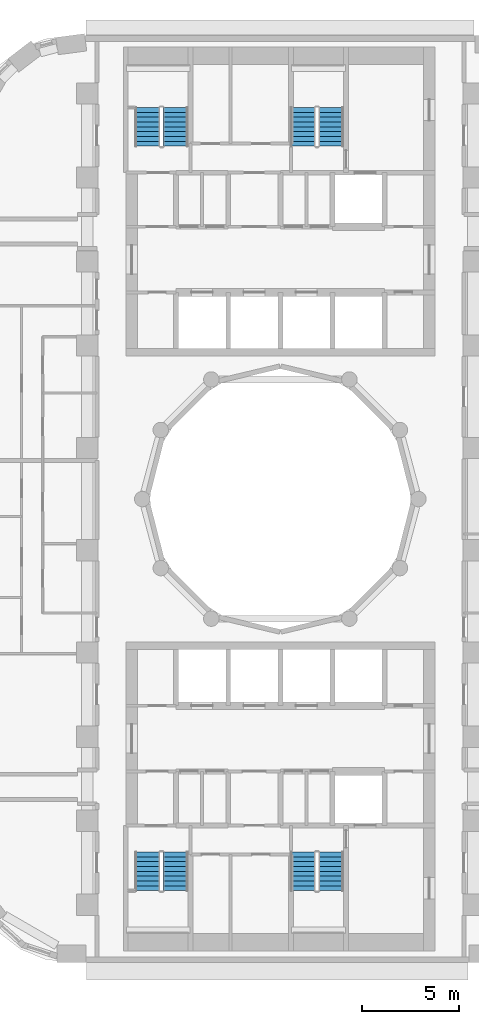
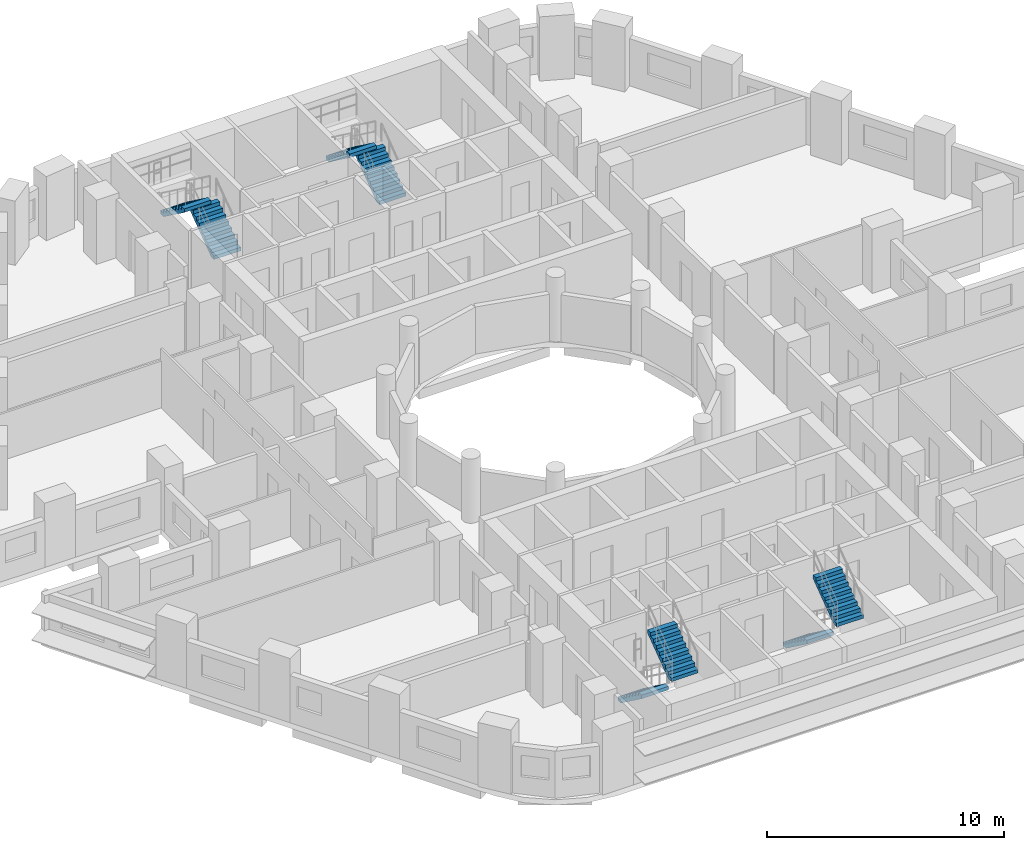
# One storey, part 9 of 12: 8 stair flights, 4 elements without a shape of their own.
"""IFC4 building model written with IfcOpenShell, lengths in metres."""

from ifc_helpers import new_model, si_unit, direction, frame, origin, place, context, subcontext, project, spatial, polyline, outline, extrude, material, type_object, element, aggregate, save


model = new_model("IFC4")

# Units and contexts
model_context = context("Model", 3, precision=1e-05, world=origin(), true_north=direction((0.0, 1.0)))
body_context = subcontext(model_context, "Body", "Model", "MODEL_VIEW")
ifc_project = project(units=[si_unit("LENGTHUNIT", "METRE"), si_unit("AREAUNIT", "SQUARE_METRE"), si_unit("VOLUMEUNIT", "CUBIC_METRE"), si_unit("PLANEANGLEUNIT", "RADIAN"), si_unit("MASSUNIT", "GRAM", prefix="KILO")], contexts=[model_context])

# Site, building, storey
site_placement = place(None, origin())
site = spatial("IfcSite", under=ifc_project, at=site_placement, CompositionType="ELEMENT")
building_placement = place(site_placement, origin())
building = spatial("IfcBuilding", under=site, at=building_placement, Name="Nakaniwa Court", CompositionType="ELEMENT")
storey_placement = place(building_placement, frame((0.0, 0.0, 54.60009765625)))
storey = spatial("IfcBuildingStorey", under=building, at=storey_placement, Name="L14", CompositionType="ELEMENT", Elevation=54.60009765625)

# Stair, stair flights
ifc_material = material(Name="Concrete C80/100", Category="concrete")
stair_type = type_object("IfcStairType", Name="Dog leg stair 1300 wide 18 risers", PredefinedType="HALF_TURN_STAIR", material=ifc_material)
stair_1_placement = place(storey_placement, origin())
stair_1 = element("IfcStair", 1, at=stair_1_placement, inside=storey, type_object=stair_type, Name="L14 Stair ST1", PredefinedType="HALF_TURN_STAIR")
stair_flight_type = type_object("IfcStairFlightType", Name="Stair flight 1300 wide 9 risers", PredefinedType="STRAIGHT", material=ifc_material)
stair_flight_1_placement = place(storey_placement, frame((74.574951171875, 98.27490234375, 0.0), z_axis=(0.0, 0.0, 1.0), x_axis=(0.0, 1.0, 0.0)))
stair_flight_1 = element("IfcStairFlight", 2, at=stair_flight_1_placement, type_object=stair_flight_type, Name="ST1 flight 1", NumberOfRisers=9, NumberOfTreads=8, PredefinedType="STRAIGHT", RiserHeight=0.183333333, TreadLength=0.25, context=body_context, shape_type="SweptSolid", body=[
    extrude(outline(polyline([(0.0, 0.0), (0.0, 0.026123046875), (0.0, 0.052490234375), (0.0, 0.07861328125), (0.0, 0.104736328125), (0.0, 0.130859375), (0.0, 0.1572265625), (0.0, 0.183349609375), (0.25, 0.183349609375), (0.25, 0.36669921875), (0.5, 0.36669921875), (0.5, 0.550048828125), (0.75, 0.550048828125), (0.75, 0.7333984375), (1.0, 0.7333984375), (1.0, 0.916748046875), (1.25, 0.916748046875), (1.25, 1.10009765625), (1.5, 1.10009765625), (1.5, 1.283447265625), (1.75, 1.283447265625), (1.75, 1.466552734375), (2.0, 1.466552734375), (2.0, 1.64990234375), (2.0, 1.59716796875), (2.0, 1.54443359375), (2.0, 1.49169921875), (2.0, 1.43896484375), (2.0, 1.38623046875), (2.0, 1.33349609375), (2.0, 1.28076171875), (0.25341796875, 0.0), (0.0, 0.0)])), frame((0.0, 0.64990234375, 0.0), z_axis=(0.0, -1.0, 0.0), x_axis=(1.0, 0.0, 0.0)), (0.0, 0.0, 1.0), 1.300048828125),
])
stair_flight_2_placement = place(storey_placement, frame((73.125, 100.27490234375, 1.64990234375), z_axis=(0.0, 0.0, 1.0), x_axis=(0.0, -1.0, 0.0)))
stair_flight_2 = element("IfcStairFlight", 3, at=stair_flight_2_placement, type_object=stair_flight_type, Name="ST1 flight 2", NumberOfRisers=9, NumberOfTreads=8, PredefinedType="STRAIGHT", RiserHeight=0.183333333, TreadLength=0.25, context=body_context, shape_type="SweptSolid", body=[
    extrude(outline(polyline([(0.0, 0.0), (0.0, 0.026123046875), (0.0, 0.052490234375), (0.0, 0.07861328125), (0.0, 0.104736328125), (0.0, 0.130859375), (0.0, 0.1572265625), (0.0, 0.183349609375), (0.25, 0.183349609375), (0.25, 0.36669921875), (0.5, 0.36669921875), (0.5, 0.550048828125), (0.75, 0.550048828125), (0.75, 0.7333984375), (1.0, 0.7333984375), (1.0, 0.916748046875), (1.25, 0.916748046875), (1.25, 1.10009765625), (1.5, 1.10009765625), (1.5, 1.283447265625), (1.75, 1.283447265625), (1.75, 1.466552734375), (2.0, 1.466552734375), (2.0, 1.64990234375), (2.0, 1.59716796875), (2.0, 1.54443359375), (2.0, 1.49169921875), (2.0, 1.43896484375), (2.0, 1.38623046875), (2.0, 1.33349609375), (2.0, 1.28076171875), (0.25341796875, 0.0), (0.0, 0.0)])), frame((0.0, 0.64990234375, 0.0), z_axis=(0.0, -1.0, 0.0), x_axis=(1.0, 0.0, 0.0)), (0.0, 0.0, 1.0), 1.300048828125),
])
aggregate(stair_1, [stair_flight_1, stair_flight_2])

stair_2_placement = place(storey_placement, origin())
stair_2 = element("IfcStair", 4, at=stair_2_placement, inside=storey, type_object=stair_type, Name="L14 Stair ST2", PredefinedType="HALF_TURN_STAIR")
stair_flight_3_placement = place(storey_placement, frame((82.625, 98.27490234375, 0.0), z_axis=(0.0, 0.0, 1.0), x_axis=(0.0, 1.0, 0.0)))
stair_flight_3 = element("IfcStairFlight", 5, at=stair_flight_3_placement, type_object=stair_flight_type, Name="ST2 flight 1", NumberOfRisers=9, NumberOfTreads=8, PredefinedType="STRAIGHT", RiserHeight=0.183333333, TreadLength=0.25, context=body_context, shape_type="SweptSolid", body=[
    extrude(outline(polyline([(0.0, 0.0), (0.0, 0.026123046875), (0.0, 0.052490234375), (0.0, 0.07861328125), (0.0, 0.104736328125), (0.0, 0.130859375), (0.0, 0.1572265625), (0.0, 0.183349609375), (0.25, 0.183349609375), (0.25, 0.36669921875), (0.5, 0.36669921875), (0.5, 0.550048828125), (0.75, 0.550048828125), (0.75, 0.7333984375), (1.0, 0.7333984375), (1.0, 0.916748046875), (1.25, 0.916748046875), (1.25, 1.10009765625), (1.5, 1.10009765625), (1.5, 1.283447265625), (1.75, 1.283447265625), (1.75, 1.466552734375), (2.0, 1.466552734375), (2.0, 1.64990234375), (2.0, 1.59716796875), (2.0, 1.54443359375), (2.0, 1.49169921875), (2.0, 1.43896484375), (2.0, 1.38623046875), (2.0, 1.33349609375), (2.0, 1.28076171875), (0.25341796875, 0.0), (0.0, 0.0)])), frame((0.0, 0.64990234375, 0.0), z_axis=(0.0, -1.0, 0.0), x_axis=(1.0, 0.0, 0.0)), (0.0, 0.0, 1.0), 1.300048828125),
])
stair_flight_4_placement = place(storey_placement, frame((81.175048828125, 100.27490234375, 1.64990234375), z_axis=(0.0, 0.0, 1.0), x_axis=(0.0, -1.0, 0.0)))
stair_flight_4 = element("IfcStairFlight", 6, at=stair_flight_4_placement, type_object=stair_flight_type, Name="ST2 flight 2", NumberOfRisers=9, NumberOfTreads=8, PredefinedType="STRAIGHT", RiserHeight=0.183333333, TreadLength=0.25, context=body_context, shape_type="SweptSolid", body=[
    extrude(outline(polyline([(0.0, 0.0), (0.0, 0.026123046875), (0.0, 0.052490234375), (0.0, 0.07861328125), (0.0, 0.104736328125), (0.0, 0.130859375), (0.0, 0.1572265625), (0.0, 0.183349609375), (0.25, 0.183349609375), (0.25, 0.36669921875), (0.5, 0.36669921875), (0.5, 0.550048828125), (0.75, 0.550048828125), (0.75, 0.7333984375), (1.0, 0.7333984375), (1.0, 0.916748046875), (1.25, 0.916748046875), (1.25, 1.10009765625), (1.5, 1.10009765625), (1.5, 1.283447265625), (1.75, 1.283447265625), (1.75, 1.466552734375), (2.0, 1.466552734375), (2.0, 1.64990234375), (2.0, 1.59716796875), (2.0, 1.54443359375), (2.0, 1.49169921875), (2.0, 1.43896484375), (2.0, 1.38623046875), (2.0, 1.33349609375), (2.0, 1.28076171875), (0.25341796875, 0.0), (0.0, 0.0)])), frame((0.0, 0.64990234375, 0.0), z_axis=(0.0, -1.0, 0.0), x_axis=(1.0, 0.0, 0.0)), (0.0, 0.0, 1.0), 1.300048828125),
])
aggregate(stair_2, [stair_flight_3, stair_flight_4])

stair_3_placement = place(storey_placement, origin())
stair_3 = element("IfcStair", 7, at=stair_3_placement, inside=storey, type_object=stair_type, Name="L14 Stair ST3", PredefinedType="HALF_TURN_STAIR")
stair_flight_5_placement = place(storey_placement, frame((73.125, 61.72509765625, 0.0), z_axis=(0.0, 0.0, 1.0), x_axis=(0.0, -1.0, 0.0)))
stair_flight_5 = element("IfcStairFlight", 8, at=stair_flight_5_placement, type_object=stair_flight_type, Name="ST3 flight 1", NumberOfRisers=9, NumberOfTreads=8, PredefinedType="STRAIGHT", RiserHeight=0.183333333, TreadLength=0.25, context=body_context, shape_type="SweptSolid", body=[
    extrude(outline(polyline([(0.0, 0.0), (0.0, 0.026123046875), (0.0, 0.052490234375), (0.0, 0.07861328125), (0.0, 0.104736328125), (0.0, 0.130859375), (0.0, 0.1572265625), (0.0, 0.183349609375), (0.25, 0.183349609375), (0.25, 0.36669921875), (0.5, 0.36669921875), (0.5, 0.550048828125), (0.75, 0.550048828125), (0.75, 0.7333984375), (1.0, 0.7333984375), (1.0, 0.916748046875), (1.25, 0.916748046875), (1.25, 1.10009765625), (1.5, 1.10009765625), (1.5, 1.283447265625), (1.75, 1.283447265625), (1.75, 1.466552734375), (2.0, 1.466552734375), (2.0, 1.64990234375), (2.0, 1.59716796875), (2.0, 1.54443359375), (2.0, 1.49169921875), (2.0, 1.43896484375), (2.0, 1.38623046875), (2.0, 1.33349609375), (2.0, 1.28076171875), (0.25341796875, 0.0), (0.0, 0.0)])), frame((0.0, 0.64990234375, 0.0), z_axis=(0.0, -1.0, 0.0), x_axis=(1.0, 0.0, 0.0)), (0.0, 0.0, 1.0), 1.300048828125),
])
stair_flight_6_placement = place(storey_placement, frame((74.574951171875, 59.72509765625, 1.64990234375), z_axis=(0.0, 0.0, 1.0), x_axis=(0.0, 1.0, 0.0)))
stair_flight_6 = element("IfcStairFlight", 9, at=stair_flight_6_placement, type_object=stair_flight_type, Name="ST3 flight 2", NumberOfRisers=9, NumberOfTreads=8, PredefinedType="STRAIGHT", RiserHeight=0.183333333, TreadLength=0.25, context=body_context, shape_type="SweptSolid", body=[
    extrude(outline(polyline([(0.0, 0.0), (0.0, 0.026123046875), (0.0, 0.052490234375), (0.0, 0.07861328125), (0.0, 0.104736328125), (0.0, 0.130859375), (0.0, 0.1572265625), (0.0, 0.183349609375), (0.25, 0.183349609375), (0.25, 0.36669921875), (0.5, 0.36669921875), (0.5, 0.550048828125), (0.75, 0.550048828125), (0.75, 0.7333984375), (1.0, 0.7333984375), (1.0, 0.916748046875), (1.25, 0.916748046875), (1.25, 1.10009765625), (1.5, 1.10009765625), (1.5, 1.283447265625), (1.75, 1.283447265625), (1.75, 1.466552734375), (2.0, 1.466552734375), (2.0, 1.64990234375), (2.0, 1.59716796875), (2.0, 1.54443359375), (2.0, 1.49169921875), (2.0, 1.43896484375), (2.0, 1.38623046875), (2.0, 1.33349609375), (2.0, 1.28076171875), (0.25341796875, 0.0), (0.0, 0.0)])), frame((0.0, 0.64990234375, 0.0), z_axis=(0.0, -1.0, 0.0), x_axis=(1.0, 0.0, 0.0)), (0.0, 0.0, 1.0), 1.300048828125),
])
aggregate(stair_3, [stair_flight_5, stair_flight_6])

stair_4_placement = place(storey_placement, origin())
stair_4 = element("IfcStair", 10, at=stair_4_placement, inside=storey, type_object=stair_type, Name="L14 Stair ST4", PredefinedType="HALF_TURN_STAIR")
stair_flight_7_placement = place(storey_placement, frame((81.175048828125, 61.72509765625, 0.0), z_axis=(0.0, 0.0, 1.0), x_axis=(0.0, -1.0, 0.0)))
stair_flight_7 = element("IfcStairFlight", 11, at=stair_flight_7_placement, type_object=stair_flight_type, Name="ST4 flight 1", NumberOfRisers=9, NumberOfTreads=8, PredefinedType="STRAIGHT", RiserHeight=0.183333333, TreadLength=0.25, context=body_context, shape_type="SweptSolid", body=[
    extrude(outline(polyline([(0.0, 0.0), (0.0, 0.026123046875), (0.0, 0.052490234375), (0.0, 0.07861328125), (0.0, 0.104736328125), (0.0, 0.130859375), (0.0, 0.1572265625), (0.0, 0.183349609375), (0.25, 0.183349609375), (0.25, 0.36669921875), (0.5, 0.36669921875), (0.5, 0.550048828125), (0.75, 0.550048828125), (0.75, 0.7333984375), (1.0, 0.7333984375), (1.0, 0.916748046875), (1.25, 0.916748046875), (1.25, 1.10009765625), (1.5, 1.10009765625), (1.5, 1.283447265625), (1.75, 1.283447265625), (1.75, 1.466552734375), (2.0, 1.466552734375), (2.0, 1.64990234375), (2.0, 1.59716796875), (2.0, 1.54443359375), (2.0, 1.49169921875), (2.0, 1.43896484375), (2.0, 1.38623046875), (2.0, 1.33349609375), (2.0, 1.28076171875), (0.25341796875, 0.0), (0.0, 0.0)])), frame((0.0, 0.64990234375, 0.0), z_axis=(0.0, -1.0, 0.0), x_axis=(1.0, 0.0, 0.0)), (0.0, 0.0, 1.0), 1.300048828125),
])
stair_flight_8_placement = place(storey_placement, frame((82.625, 59.72509765625, 1.64990234375), z_axis=(0.0, 0.0, 1.0), x_axis=(0.0, 1.0, 0.0)))
stair_flight_8 = element("IfcStairFlight", 12, at=stair_flight_8_placement, type_object=stair_flight_type, Name="ST4 flight 2", NumberOfRisers=9, NumberOfTreads=8, PredefinedType="STRAIGHT", RiserHeight=0.183333333, TreadLength=0.25, context=body_context, shape_type="SweptSolid", body=[
    extrude(outline(polyline([(0.0, 0.0), (0.0, 0.026123046875), (0.0, 0.052490234375), (0.0, 0.07861328125), (0.0, 0.104736328125), (0.0, 0.130859375), (0.0, 0.1572265625), (0.0, 0.183349609375), (0.25, 0.183349609375), (0.25, 0.36669921875), (0.5, 0.36669921875), (0.5, 0.550048828125), (0.75, 0.550048828125), (0.75, 0.7333984375), (1.0, 0.7333984375), (1.0, 0.916748046875), (1.25, 0.916748046875), (1.25, 1.10009765625), (1.5, 1.10009765625), (1.5, 1.283447265625), (1.75, 1.283447265625), (1.75, 1.466552734375), (2.0, 1.466552734375), (2.0, 1.64990234375), (2.0, 1.59716796875), (2.0, 1.54443359375), (2.0, 1.49169921875), (2.0, 1.43896484375), (2.0, 1.38623046875), (2.0, 1.33349609375), (2.0, 1.28076171875), (0.25341796875, 0.0), (0.0, 0.0)])), frame((0.0, 0.64990234375, 0.0), z_axis=(0.0, -1.0, 0.0), x_axis=(1.0, 0.0, 0.0)), (0.0, 0.0, 1.0), 1.300048828125),
])
aggregate(stair_4, [stair_flight_7, stair_flight_8])

save(model, "model.ifc")
